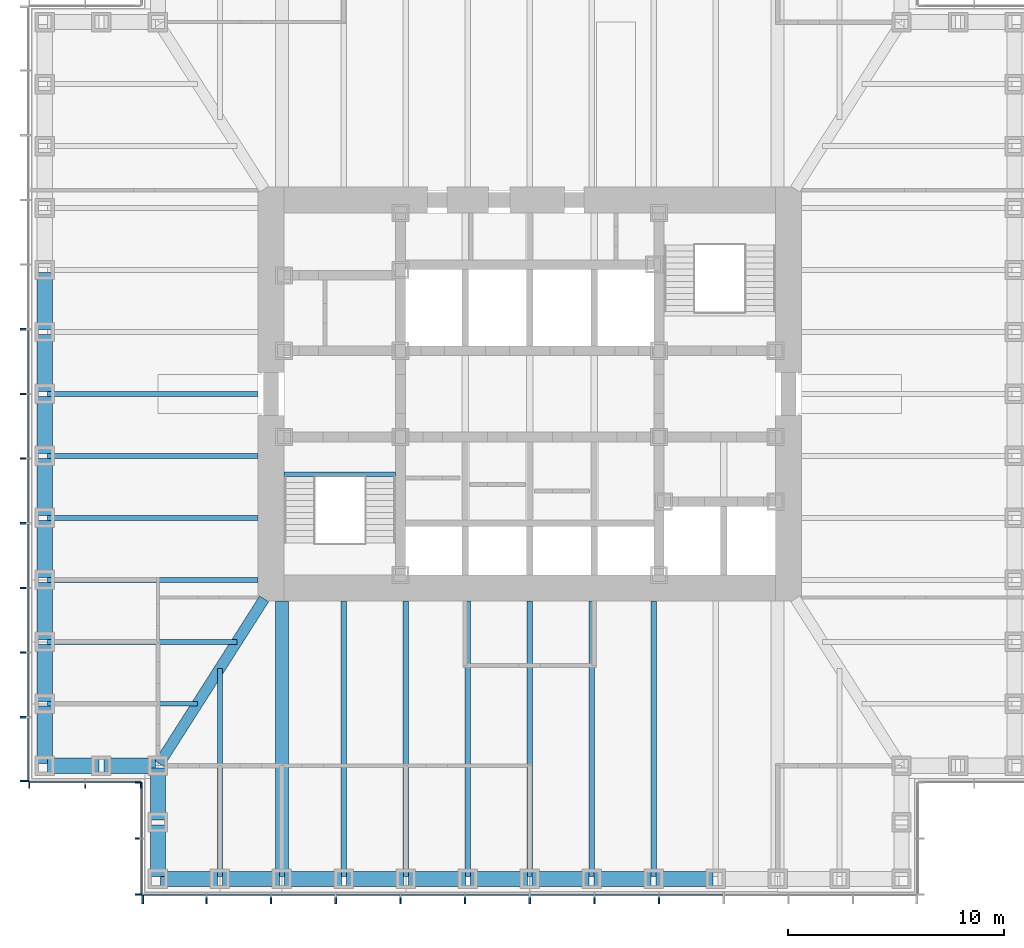
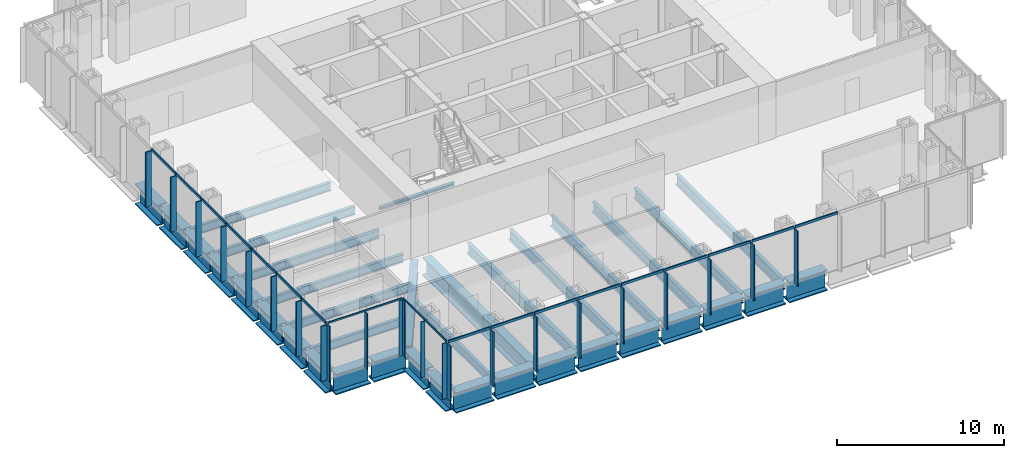
# One storey, part 2 of 16: 43 members, 37 beams, 4 elements without a shape of their own.
"""IFC4 building model written with IfcOpenShell, lengths in metres."""

from ifc_helpers import new_model, si_unit, direction, frame, origin, origin_2d, place, context, subcontext, project, spatial, rectangle, i_section, extrude, material, material_profile, profile_set, type_object, element, aggregate, save


model = new_model("IFC4")

# Units and contexts
model_context = context("Model", 3, precision=1e-05, world=origin(), true_north=direction((0.0, 1.0)))
body_context = subcontext(model_context, "Body", "Model", "MODEL_VIEW")
ifc_project = project(units=[si_unit("LENGTHUNIT", "METRE"), si_unit("AREAUNIT", "SQUARE_METRE"), si_unit("VOLUMEUNIT", "CUBIC_METRE"), si_unit("PLANEANGLEUNIT", "RADIAN"), si_unit("MASSUNIT", "GRAM", prefix="KILO")], contexts=[model_context])

# Site, building, storey
site_placement = place(None, origin())
site = spatial("IfcSite", under=ifc_project, at=site_placement, CompositionType="ELEMENT")
building_placement = place(site_placement, origin())
building = spatial("IfcBuilding", under=site, at=building_placement, Name="Daluyong Arena Tower", CompositionType="ELEMENT")
storey_placement = place(building_placement, frame((0.0, 0.0, 120.699951171875)))
storey = spatial("IfcBuildingStorey", under=building, at=storey_placement, Name="L26", CompositionType="ELEMENT", Elevation=120.699951171875)

# Curtain wall, members
ifc_material_1 = material(Name="Bronze anodised aluminium and glass", Category="aluminium")
curtain_wall_type_1 = type_object("IfcCurtainWallType", Name="Curtain wall CW2", PredefinedType="USERDEFINED", material=ifc_material_1)
curtain_wall_1_placement = place(storey_placement, origin())
curtain_wall_1 = element("IfcCurtainWall", 1, at=curtain_wall_1_placement, inside=storey, type_object=curtain_wall_type_1, Name="curtain wall L26 S", ObjectType="UNITISED CURTAIN WALL", PredefinedType="USERDEFINED")
ifc_material_2 = material(Name="Bronze anodised aluminium fin", Category="aluminium")
ifc_material_profile_1 = material_profile(ifc_material_2, rectangle(XDim=0.39990234375, YDim=0.080078125, at=origin_2d()))
ifc_profile_set_1 = profile_set([ifc_material_profile_1], Name="Bronze anodised aluminium fin")
member_type_1 = type_object("IfcMemberType", Name="CW2 bronze fin 400x80", PredefinedType="MULLION", material=ifc_profile_set_1)
member_1_placement = place(storey_placement, frame((38.0400390625, 56.550048828125, 0.0), z_axis=(0.0, 0.0, 1.0), x_axis=(0.0, 1.0, 0.0)))
member_1 = element("IfcMember", 2, at=member_1_placement, type_object=member_type_1, Name="curtain wall L26 S fin 1", PredefinedType="MULLION", context=body_context, shape_type="SweptSolid", body=[
    extrude(rectangle(XDim=0.39990234375, YDim=0.080078125, at=origin_2d()), origin(), (0.0, 0.0, 1.0), 4.02001953125),
])
member_2_placement = place(storey_placement, frame((41.0, 56.550048828125, 0.0), z_axis=(0.0, 0.0, 1.0), x_axis=(0.0, 1.0, 0.0)))
member_2 = element("IfcMember", 3, at=member_2_placement, type_object=member_type_1, Name="curtain wall L26 S fin 2", PredefinedType="MULLION", context=body_context, shape_type="SweptSolid", body=[
    extrude(rectangle(XDim=0.39990234375, YDim=0.080078125, at=origin_2d()), origin(), (0.0, 0.0, 1.0), 4.02001953125),
])
member_3_placement = place(storey_placement, frame((44.0, 56.550048828125, 0.0), z_axis=(0.0, 0.0, 1.0), x_axis=(0.0, 1.0, 0.0)))
member_3 = element("IfcMember", 4, at=member_3_placement, type_object=member_type_1, Name="curtain wall L26 S fin 3", PredefinedType="MULLION", context=body_context, shape_type="SweptSolid", body=[
    extrude(rectangle(XDim=0.39990234375, YDim=0.080078125, at=origin_2d()), origin(), (0.0, 0.0, 1.0), 4.02001953125),
])
member_4_placement = place(storey_placement, frame((47.0, 56.550048828125, 0.0), z_axis=(0.0, 0.0, 1.0), x_axis=(0.0, 1.0, 0.0)))
member_4 = element("IfcMember", 5, at=member_4_placement, type_object=member_type_1, Name="curtain wall L26 S fin 4", PredefinedType="MULLION", context=body_context, shape_type="SweptSolid", body=[
    extrude(rectangle(XDim=0.39990234375, YDim=0.080078125, at=origin_2d()), origin(), (0.0, 0.0, 1.0), 4.02001953125),
])
member_5_placement = place(storey_placement, frame((50.0, 56.550048828125, 0.0), z_axis=(0.0, 0.0, 1.0), x_axis=(0.0, 1.0, 0.0)))
member_5 = element("IfcMember", 6, at=member_5_placement, type_object=member_type_1, Name="curtain wall L26 S fin 5", PredefinedType="MULLION", context=body_context, shape_type="SweptSolid", body=[
    extrude(rectangle(XDim=0.39990234375, YDim=0.080078125, at=origin_2d()), origin(), (0.0, 0.0, 1.0), 4.02001953125),
])
member_6_placement = place(storey_placement, frame((53.0, 56.550048828125, 0.0), z_axis=(0.0, 0.0, 1.0), x_axis=(0.0, 1.0, 0.0)))
member_6 = element("IfcMember", 7, at=member_6_placement, type_object=member_type_1, Name="curtain wall L26 S fin 6", PredefinedType="MULLION", context=body_context, shape_type="SweptSolid", body=[
    extrude(rectangle(XDim=0.39990234375, YDim=0.080078125, at=origin_2d()), origin(), (0.0, 0.0, 1.0), 4.02001953125),
])
member_7_placement = place(storey_placement, frame((56.0, 56.550048828125, 0.0), z_axis=(0.0, 0.0, 1.0), x_axis=(0.0, 1.0, 0.0)))
member_7 = element("IfcMember", 8, at=member_7_placement, type_object=member_type_1, Name="curtain wall L26 S fin 7", PredefinedType="MULLION", context=body_context, shape_type="SweptSolid", body=[
    extrude(rectangle(XDim=0.39990234375, YDim=0.080078125, at=origin_2d()), origin(), (0.0, 0.0, 1.0), 4.02001953125),
])
member_8_placement = place(storey_placement, frame((59.0, 56.550048828125, 0.0), z_axis=(0.0, 0.0, 1.0), x_axis=(0.0, 1.0, 0.0)))
member_8 = element("IfcMember", 9, at=member_8_placement, type_object=member_type_1, Name="curtain wall L26 S fin 8", PredefinedType="MULLION", context=body_context, shape_type="SweptSolid", body=[
    extrude(rectangle(XDim=0.39990234375, YDim=0.080078125, at=origin_2d()), origin(), (0.0, 0.0, 1.0), 4.02001953125),
])
member_9_placement = place(storey_placement, frame((62.0, 56.550048828125, 0.0), z_axis=(0.0, 0.0, 1.0), x_axis=(0.0, 1.0, 0.0)))
member_9 = element("IfcMember", 10, at=member_9_placement, type_object=member_type_1, Name="curtain wall L26 S fin 9", PredefinedType="MULLION", context=body_context, shape_type="SweptSolid", body=[
    extrude(rectangle(XDim=0.39990234375, YDim=0.080078125, at=origin_2d()), origin(), (0.0, 0.0, 1.0), 4.02001953125),
])

curtain_wall_2_placement = place(storey_placement, origin())
curtain_wall_2 = element("IfcCurtainWall", 11, at=curtain_wall_2_placement, inside=storey, type_object=curtain_wall_type_1, Name="curtain wall L26 W", ObjectType="UNITISED CURTAIN WALL", PredefinedType="USERDEFINED")
member_10_placement = place(storey_placement, frame((32.550048828125, 83.0, 0.0), z_axis=(0.0, 0.0, 1.0), x_axis=(1.0, 0.0, 0.0)))
member_10 = element("IfcMember", 12, at=member_10_placement, type_object=member_type_1, Name="curtain wall L26 W fin 6", PredefinedType="MULLION", context=body_context, shape_type="SweptSolid", body=[
    extrude(rectangle(XDim=0.39990234375, YDim=0.080078125, at=origin_2d()), origin(), (0.0, 0.0, 1.0), 4.02001953125),
])
member_11_placement = place(storey_placement, frame((32.550048828125, 80.0, 0.0), z_axis=(0.0, 0.0, 1.0), x_axis=(1.0, 0.0, 0.0)))
member_11 = element("IfcMember", 13, at=member_11_placement, type_object=member_type_1, Name="curtain wall L26 W fin 7", PredefinedType="MULLION", context=body_context, shape_type="SweptSolid", body=[
    extrude(rectangle(XDim=0.39990234375, YDim=0.080078125, at=origin_2d()), origin(), (0.0, 0.0, 1.0), 4.02001953125),
])
member_12_placement = place(storey_placement, frame((32.550048828125, 77.0, 0.0), z_axis=(0.0, 0.0, 1.0), x_axis=(1.0, 0.0, 0.0)))
member_12 = element("IfcMember", 14, at=member_12_placement, type_object=member_type_1, Name="curtain wall L26 W fin 8", PredefinedType="MULLION", context=body_context, shape_type="SweptSolid", body=[
    extrude(rectangle(XDim=0.39990234375, YDim=0.080078125, at=origin_2d()), origin(), (0.0, 0.0, 1.0), 4.02001953125),
])
member_13_placement = place(storey_placement, frame((32.550048828125, 74.0, 0.0), z_axis=(0.0, 0.0, 1.0), x_axis=(1.0, 0.0, 0.0)))
member_13 = element("IfcMember", 15, at=member_13_placement, type_object=member_type_1, Name="curtain wall L26 W fin 9", PredefinedType="MULLION", context=body_context, shape_type="SweptSolid", body=[
    extrude(rectangle(XDim=0.39990234375, YDim=0.080078125, at=origin_2d()), origin(), (0.0, 0.0, 1.0), 4.02001953125),
])
member_14_placement = place(storey_placement, frame((32.550048828125, 71.0, 0.0), z_axis=(0.0, 0.0, 1.0), x_axis=(1.0, 0.0, 0.0)))
member_14 = element("IfcMember", 16, at=member_14_placement, type_object=member_type_1, Name="curtain wall L26 W fin 10", PredefinedType="MULLION", context=body_context, shape_type="SweptSolid", body=[
    extrude(rectangle(XDim=0.39990234375, YDim=0.080078125, at=origin_2d()), origin(), (0.0, 0.0, 1.0), 4.02001953125),
])
member_15_placement = place(storey_placement, frame((32.550048828125, 68.0, 0.0), z_axis=(0.0, 0.0, 1.0), x_axis=(1.0, 0.0, 0.0)))
member_15 = element("IfcMember", 17, at=member_15_placement, type_object=member_type_1, Name="curtain wall L26 W fin 11", PredefinedType="MULLION", context=body_context, shape_type="SweptSolid", body=[
    extrude(rectangle(XDim=0.39990234375, YDim=0.080078125, at=origin_2d()), origin(), (0.0, 0.0, 1.0), 4.02001953125),
])
member_16_placement = place(storey_placement, frame((32.550048828125, 65.0, 0.0), z_axis=(0.0, 0.0, 1.0), x_axis=(1.0, 0.0, 0.0)))
member_16 = element("IfcMember", 18, at=member_16_placement, type_object=member_type_1, Name="curtain wall L26 W fin 12", PredefinedType="MULLION", context=body_context, shape_type="SweptSolid", body=[
    extrude(rectangle(XDim=0.39990234375, YDim=0.080078125, at=origin_2d()), origin(), (0.0, 0.0, 1.0), 4.02001953125),
])
member_17_placement = place(storey_placement, frame((32.550048828125, 62.0400390625, 0.0), z_axis=(0.0, 0.0, 1.0), x_axis=(1.0, 0.0, 0.0)))
member_17 = element("IfcMember", 19, at=member_17_placement, type_object=member_type_1, Name="curtain wall L26 W fin 13", PredefinedType="MULLION", context=body_context, shape_type="SweptSolid", body=[
    extrude(rectangle(XDim=0.39990234375, YDim=0.080078125, at=origin_2d()), origin(), (0.0, 0.0, 1.0), 4.02001953125),
])

# Member
ifc_material_3 = material(Name="Bronze anodised aluminium", Category="aluminium")
ifc_material_profile_2 = material_profile(ifc_material_3, rectangle(XDim=0.080078125, YDim=0.179931640625, at=origin_2d()))
ifc_profile_set_2 = profile_set([ifc_material_profile_2], Name="Bronze anodised aluminium")
member_type_2 = type_object("IfcMemberType", Name="CW2 stack transom 180x80", PredefinedType="USERDEFINED", material=ifc_profile_set_2)
member_18_placement = place(storey_placement, frame((38.080078125, 56.75, 4.110107421875), z_axis=(1.0, 0.0, 0.0), x_axis=(0.0, 1.0, 0.0)))
member_18 = element("IfcMember", 20, at=member_18_placement, type_object=member_type_2, Name="curtain wall L26 S transom 1", ObjectType="TRANSOM", PredefinedType="USERDEFINED", context=body_context, shape_type="SweptSolid", body=[
    extrude(rectangle(XDim=0.080078125, YDim=0.179931640625, at=origin_2d()), origin(), (0.0, 0.0, 1.0), 2.8798828125),
])

member_19_placement = place(storey_placement, frame((41.0400390625, 56.75, 4.110107421875), z_axis=(1.0, 0.0, 0.0), x_axis=(0.0, 1.0, 0.0)))
member_19 = element("IfcMember", 21, at=member_19_placement, type_object=member_type_2, Name="curtain wall L26 S transom 2", ObjectType="TRANSOM", PredefinedType="USERDEFINED", context=body_context, shape_type="SweptSolid", body=[
    extrude(rectangle(XDim=0.080078125, YDim=0.179931640625, at=origin_2d()), origin(), (0.0, 0.0, 1.0), 2.919921875),
])

member_20_placement = place(storey_placement, frame((44.0400390625, 56.75, 4.110107421875), z_axis=(1.0, 0.0, 0.0), x_axis=(0.0, 1.0, 0.0)))
member_20 = element("IfcMember", 22, at=member_20_placement, type_object=member_type_2, Name="curtain wall L26 S transom 3", ObjectType="TRANSOM", PredefinedType="USERDEFINED", context=body_context, shape_type="SweptSolid", body=[
    extrude(rectangle(XDim=0.080078125, YDim=0.179931640625, at=origin_2d()), origin(), (0.0, 0.0, 1.0), 2.919921875),
])

member_21_placement = place(storey_placement, frame((47.0400390625, 56.75, 4.110107421875), z_axis=(1.0, 0.0, 0.0), x_axis=(0.0, 1.0, 0.0)))
member_21 = element("IfcMember", 23, at=member_21_placement, type_object=member_type_2, Name="curtain wall L26 S transom 4", ObjectType="TRANSOM", PredefinedType="USERDEFINED", context=body_context, shape_type="SweptSolid", body=[
    extrude(rectangle(XDim=0.080078125, YDim=0.179931640625, at=origin_2d()), origin(), (0.0, 0.0, 1.0), 2.919921875),
])

member_22_placement = place(storey_placement, frame((50.0400390625, 56.75, 4.110107421875), z_axis=(1.0, 0.0, 0.0), x_axis=(0.0, 1.0, 0.0)))
member_22 = element("IfcMember", 24, at=member_22_placement, type_object=member_type_2, Name="curtain wall L26 S transom 5", ObjectType="TRANSOM", PredefinedType="USERDEFINED", context=body_context, shape_type="SweptSolid", body=[
    extrude(rectangle(XDim=0.080078125, YDim=0.179931640625, at=origin_2d()), origin(), (0.0, 0.0, 1.0), 2.919921875),
])

member_23_placement = place(storey_placement, frame((53.0400390625, 56.75, 4.110107421875), z_axis=(1.0, 0.0, 0.0), x_axis=(0.0, 1.0, 0.0)))
member_23 = element("IfcMember", 25, at=member_23_placement, type_object=member_type_2, Name="curtain wall L26 S transom 6", ObjectType="TRANSOM", PredefinedType="USERDEFINED", context=body_context, shape_type="SweptSolid", body=[
    extrude(rectangle(XDim=0.080078125, YDim=0.179931640625, at=origin_2d()), origin(), (0.0, 0.0, 1.0), 2.919921875),
])

member_24_placement = place(storey_placement, frame((56.0400390625, 56.75, 4.110107421875), z_axis=(1.0, 0.0, 0.0), x_axis=(0.0, 1.0, 0.0)))
member_24 = element("IfcMember", 26, at=member_24_placement, type_object=member_type_2, Name="curtain wall L26 S transom 7", ObjectType="TRANSOM", PredefinedType="USERDEFINED", context=body_context, shape_type="SweptSolid", body=[
    extrude(rectangle(XDim=0.080078125, YDim=0.179931640625, at=origin_2d()), origin(), (0.0, 0.0, 1.0), 2.919921875),
])

member_25_placement = place(storey_placement, frame((59.0400390625, 56.75, 4.110107421875), z_axis=(1.0, 0.0, 0.0), x_axis=(0.0, 1.0, 0.0)))
member_25 = element("IfcMember", 27, at=member_25_placement, type_object=member_type_2, Name="curtain wall L26 S transom 8", ObjectType="TRANSOM", PredefinedType="USERDEFINED", context=body_context, shape_type="SweptSolid", body=[
    extrude(rectangle(XDim=0.080078125, YDim=0.179931640625, at=origin_2d()), origin(), (0.0, 0.0, 1.0), 2.919921875),
])

member_26_placement = place(storey_placement, frame((62.0400390625, 56.75, 4.110107421875), z_axis=(1.0, 0.0, 0.0), x_axis=(0.0, 1.0, 0.0)))
member_26 = element("IfcMember", 28, at=member_26_placement, type_object=member_type_2, Name="curtain wall L26 S transom 9", ObjectType="TRANSOM", PredefinedType="USERDEFINED", context=body_context, shape_type="SweptSolid", body=[
    extrude(rectangle(XDim=0.080078125, YDim=0.179931640625, at=origin_2d()), origin(), (0.0, 0.0, 1.0), 2.919921875),
])

aggregate(curtain_wall_1, [member_1, member_2, member_3, member_4, member_5, member_6, member_7, member_8, member_9, member_18, member_19, member_20, member_21, member_22, member_23, member_24, member_25, member_26])

member_27_placement = place(storey_placement, frame((32.75, 82.9599609375, 4.110107421875), z_axis=(0.0, -1.0, 0.0), x_axis=(1.0, 0.0, 0.0)))
member_27 = element("IfcMember", 29, at=member_27_placement, type_object=member_type_2, Name="curtain wall L26 W transom 6", ObjectType="TRANSOM", PredefinedType="USERDEFINED", context=body_context, shape_type="SweptSolid", body=[
    extrude(rectangle(XDim=0.080078125, YDim=0.179931640625, at=origin_2d()), origin(), (0.0, 0.0, 1.0), 2.919921875),
])

member_28_placement = place(storey_placement, frame((32.75, 79.9599609375, 4.110107421875), z_axis=(0.0, -1.0, 0.0), x_axis=(1.0, 0.0, 0.0)))
member_28 = element("IfcMember", 30, at=member_28_placement, type_object=member_type_2, Name="curtain wall L26 W transom 7", ObjectType="TRANSOM", PredefinedType="USERDEFINED", context=body_context, shape_type="SweptSolid", body=[
    extrude(rectangle(XDim=0.080078125, YDim=0.179931640625, at=origin_2d()), origin(), (0.0, 0.0, 1.0), 2.919921875),
])

member_29_placement = place(storey_placement, frame((32.75, 76.9599609375, 4.110107421875), z_axis=(0.0, -1.0, 0.0), x_axis=(1.0, 0.0, 0.0)))
member_29 = element("IfcMember", 31, at=member_29_placement, type_object=member_type_2, Name="curtain wall L26 W transom 8", ObjectType="TRANSOM", PredefinedType="USERDEFINED", context=body_context, shape_type="SweptSolid", body=[
    extrude(rectangle(XDim=0.080078125, YDim=0.179931640625, at=origin_2d()), origin(), (0.0, 0.0, 1.0), 2.919921875),
])

member_30_placement = place(storey_placement, frame((32.75, 73.9599609375, 4.110107421875), z_axis=(0.0, -1.0, 0.0), x_axis=(1.0, 0.0, 0.0)))
member_30 = element("IfcMember", 32, at=member_30_placement, type_object=member_type_2, Name="curtain wall L26 W transom 9", ObjectType="TRANSOM", PredefinedType="USERDEFINED", context=body_context, shape_type="SweptSolid", body=[
    extrude(rectangle(XDim=0.080078125, YDim=0.179931640625, at=origin_2d()), origin(), (0.0, 0.0, 1.0), 2.919921875),
])

member_31_placement = place(storey_placement, frame((32.75, 70.9599609375, 4.110107421875), z_axis=(0.0, -1.0, 0.0), x_axis=(1.0, 0.0, 0.0)))
member_31 = element("IfcMember", 33, at=member_31_placement, type_object=member_type_2, Name="curtain wall L26 W transom 10", ObjectType="TRANSOM", PredefinedType="USERDEFINED", context=body_context, shape_type="SweptSolid", body=[
    extrude(rectangle(XDim=0.080078125, YDim=0.179931640625, at=origin_2d()), origin(), (0.0, 0.0, 1.0), 2.919921875),
])

member_32_placement = place(storey_placement, frame((32.75, 67.9599609375, 4.110107421875), z_axis=(0.0, -1.0, 0.0), x_axis=(1.0, 0.0, 0.0)))
member_32 = element("IfcMember", 34, at=member_32_placement, type_object=member_type_2, Name="curtain wall L26 W transom 11", ObjectType="TRANSOM", PredefinedType="USERDEFINED", context=body_context, shape_type="SweptSolid", body=[
    extrude(rectangle(XDim=0.080078125, YDim=0.179931640625, at=origin_2d()), origin(), (0.0, 0.0, 1.0), 2.919921875),
])

member_33_placement = place(storey_placement, frame((32.75, 64.9599609375, 4.110107421875), z_axis=(0.0, -1.0, 0.0), x_axis=(1.0, 0.0, 0.0)))
member_33 = element("IfcMember", 35, at=member_33_placement, type_object=member_type_2, Name="curtain wall L26 W transom 12", ObjectType="TRANSOM", PredefinedType="USERDEFINED", context=body_context, shape_type="SweptSolid", body=[
    extrude(rectangle(XDim=0.080078125, YDim=0.179931640625, at=origin_2d()), origin(), (0.0, 0.0, 1.0), 2.8798828125),
])

aggregate(curtain_wall_2, [member_10, member_11, member_12, member_13, member_14, member_15, member_16, member_17, member_27, member_28, member_29, member_30, member_31, member_32, member_33])

# Curtain wall, members
ifc_material_4 = material(Name="Bronze anodised aluminium and glass", Category="aluminium")
curtain_wall_type_2 = type_object("IfcCurtainWallType", Name="Curtain wall CW7", PredefinedType="USERDEFINED", material=ifc_material_4)
curtain_wall_3_placement = place(storey_placement, origin())
curtain_wall_3 = element("IfcCurtainWall", 36, at=curtain_wall_3_placement, inside=storey, type_object=curtain_wall_type_2, Name="curtain wall L26 SW-S", ObjectType="UNITISED CURTAIN WALL", PredefinedType="USERDEFINED")
ifc_material_5 = material(Name="Bronze anodised aluminium fin", Category="aluminium")
ifc_material_profile_3 = material_profile(ifc_material_5, rectangle(XDim=0.300048828125, YDim=0.06005859375, at=origin_2d()))
ifc_profile_set_3 = profile_set([ifc_material_profile_3], Name="Bronze anodised aluminium fin")
member_type_3 = type_object("IfcMemberType", Name="CW7 bronze fin 300x60", PredefinedType="MULLION", material=ifc_profile_set_3)
member_34_placement = place(storey_placement, frame((32.780029296875, 61.85009765625, 0.0), z_axis=(0.0, 0.0, 1.0), x_axis=(0.0, 1.0, 0.0)))
member_34 = element("IfcMember", 37, at=member_34_placement, type_object=member_type_3, Name="curtain wall L26 SW-S fin 1", PredefinedType="MULLION", context=body_context, shape_type="SweptSolid", body=[
    extrude(rectangle(XDim=0.300048828125, YDim=0.06005859375, at=origin_2d()), origin(), (0.0, 0.0, 1.0), 4.080078125),
])
member_35_placement = place(storey_placement, frame((35.375, 61.85009765625, 0.0), z_axis=(0.0, 0.0, 1.0), x_axis=(0.0, 1.0, 0.0)))
member_35 = element("IfcMember", 38, at=member_35_placement, type_object=member_type_3, Name="curtain wall L26 SW-S fin 2", PredefinedType="MULLION", context=body_context, shape_type="SweptSolid", body=[
    extrude(rectangle(XDim=0.300048828125, YDim=0.06005859375, at=origin_2d()), origin(), (0.0, 0.0, 1.0), 4.080078125),
])
member_36_placement = place(storey_placement, frame((37.969970703125, 61.85009765625, 0.0), z_axis=(0.0, 0.0, 1.0), x_axis=(0.0, 1.0, 0.0)))
member_36 = element("IfcMember", 39, at=member_36_placement, type_object=member_type_3, Name="curtain wall L26 SW-S fin 3", PredefinedType="MULLION", context=body_context, shape_type="SweptSolid", body=[
    extrude(rectangle(XDim=0.300048828125, YDim=0.06005859375, at=origin_2d()), origin(), (0.0, 0.0, 1.0), 4.080078125),
])

curtain_wall_4_placement = place(storey_placement, origin())
curtain_wall_4 = element("IfcCurtainWall", 40, at=curtain_wall_4_placement, inside=storey, type_object=curtain_wall_type_2, Name="curtain wall L26 SW-W", ObjectType="UNITISED CURTAIN WALL", PredefinedType="USERDEFINED")
member_37_placement = place(storey_placement, frame((37.85009765625, 61.969970703125, 0.0), z_axis=(0.0, 0.0, 1.0), x_axis=(1.0, 0.0, 0.0)))
member_37 = element("IfcMember", 41, at=member_37_placement, type_object=member_type_3, Name="curtain wall L26 SW-W fin 1", PredefinedType="MULLION", context=body_context, shape_type="SweptSolid", body=[
    extrude(rectangle(XDim=0.300048828125, YDim=0.06005859375, at=origin_2d()), origin(), (0.0, 0.0, 1.0), 4.080078125),
])
member_38_placement = place(storey_placement, frame((37.85009765625, 59.375, 0.0), z_axis=(0.0, 0.0, 1.0), x_axis=(1.0, 0.0, 0.0)))
member_38 = element("IfcMember", 42, at=member_38_placement, type_object=member_type_3, Name="curtain wall L26 SW-W fin 2", PredefinedType="MULLION", context=body_context, shape_type="SweptSolid", body=[
    extrude(rectangle(XDim=0.300048828125, YDim=0.06005859375, at=origin_2d()), origin(), (0.0, 0.0, 1.0), 4.080078125),
])
member_39_placement = place(storey_placement, frame((37.85009765625, 56.780029296875, 0.0), z_axis=(0.0, 0.0, 1.0), x_axis=(1.0, 0.0, 0.0)))
member_39 = element("IfcMember", 43, at=member_39_placement, type_object=member_type_3, Name="curtain wall L26 SW-W fin 3", PredefinedType="MULLION", context=body_context, shape_type="SweptSolid", body=[
    extrude(rectangle(XDim=0.300048828125, YDim=0.06005859375, at=origin_2d()), origin(), (0.0, 0.0, 1.0), 4.080078125),
])

# Member
ifc_material_6 = material(Name="Bronze anodised aluminium", Category="aluminium")
ifc_material_profile_4 = material_profile(ifc_material_6, rectangle(XDim=0.06005859375, YDim=0.1201171875, at=origin_2d()))
ifc_profile_set_4 = profile_set([ifc_material_profile_4], Name="Bronze anodised aluminium")
member_type_4 = type_object("IfcMemberType", Name="CW7 stack transom 120x60", PredefinedType="USERDEFINED", material=ifc_profile_set_4)
member_40_placement = place(storey_placement, frame((32.81005859375, 62.0, 4.14013671875), z_axis=(1.0, 0.0, 0.0), x_axis=(0.0, 1.0, 0.0)))
member_40 = element("IfcMember", 44, at=member_40_placement, type_object=member_type_4, Name="curtain wall L26 SW-S transom 1", ObjectType="TRANSOM", PredefinedType="USERDEFINED", context=body_context, shape_type="SweptSolid", body=[
    extrude(rectangle(XDim=0.06005859375, YDim=0.1201171875, at=origin_2d()), origin(), (0.0, 0.0, 1.0), 2.534912109375),
])

member_41_placement = place(storey_placement, frame((35.405029296875, 62.0, 4.14013671875), z_axis=(1.0, 0.0, 0.0), x_axis=(0.0, 1.0, 0.0)))
member_41 = element("IfcMember", 45, at=member_41_placement, type_object=member_type_4, Name="curtain wall L26 SW-S transom 2", ObjectType="TRANSOM", PredefinedType="USERDEFINED", context=body_context, shape_type="SweptSolid", body=[
    extrude(rectangle(XDim=0.06005859375, YDim=0.1201171875, at=origin_2d()), origin(), (0.0, 0.0, 1.0), 2.534912109375),
])

aggregate(curtain_wall_3, [member_34, member_35, member_36, member_40, member_41])

member_42_placement = place(storey_placement, frame((38.0, 61.93994140625, 4.14013671875), z_axis=(0.0, -1.0, 0.0), x_axis=(1.0, 0.0, 0.0)))
member_42 = element("IfcMember", 46, at=member_42_placement, type_object=member_type_4, Name="curtain wall L26 SW-W transom 1", ObjectType="TRANSOM", PredefinedType="USERDEFINED", context=body_context, shape_type="SweptSolid", body=[
    extrude(rectangle(XDim=0.06005859375, YDim=0.1201171875, at=origin_2d()), origin(), (0.0, 0.0, 1.0), 2.534912109375),
])

member_43_placement = place(storey_placement, frame((38.0, 59.344970703125, 4.14013671875), z_axis=(0.0, -1.0, 0.0), x_axis=(1.0, 0.0, 0.0)))
member_43 = element("IfcMember", 47, at=member_43_placement, type_object=member_type_4, Name="curtain wall L26 SW-W transom 2", ObjectType="TRANSOM", PredefinedType="USERDEFINED", context=body_context, shape_type="SweptSolid", body=[
    extrude(rectangle(XDim=0.06005859375, YDim=0.1201171875, at=origin_2d()), origin(), (0.0, 0.0, 1.0), 2.534912109375),
])

aggregate(curtain_wall_4, [member_37, member_38, member_39, member_42, member_43])

# Beams
ifc_material_7 = material(Name="Steel ASTM A572 Grade 50", Category="steel")
ifc_material_profile_5 = material_profile(ifc_material_7, i_section(OverallWidth=0.5, OverallDepth=1.0, WebThickness=0.03, FlangeThickness=0.06, at=origin_2d()))
ifc_profile_set_5 = profile_set([ifc_material_profile_5], Name="Steel ASTM A572 Grade 50")
beam_type_1 = type_object("IfcBeamType", Name="Corner girder TB1000X500", PredefinedType="BEAM", material=ifc_profile_set_5)
beam_1_placement = place(storey_placement, frame((38.811767578125, 62.846923828125, -0.659912109375), z_axis=(0.536872006459, 0.843663705916, 0.0), x_axis=(-0.843663705916, 0.536872006459, 0.0)))
element("IfcBeam", 48, at=beam_1_placement, inside=storey, type_object=beam_type_1, Name="corner girder DG2", PredefinedType="BEAM", context=body_context, shape_type="SweptSolid", body=[
    extrude(i_section(OverallWidth=0.5, OverallDepth=1.0, WebThickness=0.03, FlangeThickness=0.06, at=origin_2d()), origin(), (0.0, 0.0, 1.0), 9.06396484375),
])
ifc_material_8 = material(Name="Steel ASTM A572 Grade 50", Category="steel")
ifc_material_profile_6 = material_profile(ifc_material_8, i_section(OverallWidth=0.60009765625, OverallDepth=1.300048828125, WebThickness=0.035, FlangeThickness=0.07, at=origin_2d()))
ifc_profile_set_6 = profile_set([ifc_material_profile_6], Name="Steel ASTM A572 Grade 50")
beam_type_2 = type_object("IfcBeamType", Name="Floor beam TB1300X600", PredefinedType="BEAM", material=ifc_profile_set_6)
beam_2_placement = place(storey_placement, frame((44.5, 57.614990234375, -0.81005859375), z_axis=(0.0, 1.0, 0.0), x_axis=(-1.0, 0.0, 0.0)))
element("IfcBeam", 49, at=beam_2_placement, inside=storey, type_object=beam_type_2, Name="floor beam FB7", PredefinedType="BEAM", context=body_context, shape_type="SweptSolid", body=[
    extrude(i_section(OverallWidth=0.60009765625, OverallDepth=1.300048828125, WebThickness=0.035, FlangeThickness=0.07, at=origin_2d()), origin(), (0.0, 0.0, 1.0), 12.784912109375),
])
ifc_material_9 = material(Name="Steel ASTM A992 Grade 50", Category="steel")
ifc_material_profile_7 = material_profile(ifc_material_9, i_section(OverallWidth=0.22900390625, OverallDepth=0.612060546875, WebThickness=0.011962890625, FlangeThickness=0.01953125, at=origin_2d()))
ifc_profile_set_7 = profile_set([ifc_material_profile_7], Name="Steel ASTM A992 Grade 50")
beam_type_3 = type_object("IfcBeamType", Name="Floor beam W24X84", PredefinedType="BEAM", material=ifc_profile_set_7)
beam_3_placement = place(storey_placement, frame((41.625, 57.614990234375, -0.466064453125), z_axis=(0.0, 1.0, 0.0), x_axis=(-1.0, 0.0, 0.0)))
element("IfcBeam", 50, at=beam_3_placement, inside=storey, type_object=beam_type_3, Name="floor beam FB3", PredefinedType="BEAM", context=body_context, shape_type="SweptSolid", body=[
    extrude(i_section(OverallWidth=0.22900390625, OverallDepth=0.612060546875, WebThickness=0.011962890625, FlangeThickness=0.01953125, at=origin_2d()), origin(), (0.0, 0.0, 1.0), 9.65283203125),
])
for number, where, z_axis, x_axis, name in (
    (51, (33.614990234375, 80.0, -0.466064453125), (1.0, 0.0, 0.0), (0.0, 1.0, 0.0), "floor beam FB3"),
    (52, (33.614990234375, 77.125, -0.466064453125), (1.0, 0.0, 0.0), (0.0, 1.0, 0.0), "floor beam FB3"),
    (53, (33.614990234375, 74.25, -0.466064453125), (1.0, 0.0, 0.0), (0.0, 1.0, 0.0), "floor beam FB3"),
    (54, (33.614990234375, 71.375, -0.466064453125), (1.0, 0.0, 0.0), (0.0, 1.0, 0.0), "floor beam FB3"),
):
    element("IfcBeam", number, at=place(storey_placement, frame(where, z_axis=z_axis, x_axis=x_axis)), inside=storey, type_object=beam_type_3, Name=name, PredefinedType="BEAM", context=body_context, shape_type="SweptSolid", body=[
        extrude(i_section(OverallWidth=0.22900390625, OverallDepth=0.612060546875, WebThickness=0.011962890625, FlangeThickness=0.01953125, at=origin_2d()), origin(), (0.0, 0.0, 1.0), 9.784912109375),
    ])
beam_4_placement = place(storey_placement, frame((33.614990234375, 68.5, -0.466064453125), z_axis=(1.0, 0.0, 0.0), x_axis=(0.0, 1.0, 0.0)))
element("IfcBeam", 55, at=beam_4_placement, inside=storey, type_object=beam_type_3, Name="floor beam FB3", PredefinedType="BEAM", context=body_context, shape_type="SweptSolid", body=[
    extrude(i_section(OverallWidth=0.22900390625, OverallDepth=0.612060546875, WebThickness=0.011962890625, FlangeThickness=0.01953125, at=origin_2d()), origin(), (0.0, 0.0, 1.0), 8.794189453125),
])
beam_5_placement = place(storey_placement, frame((33.614990234375, 65.625, -0.466064453125), z_axis=(1.0, 0.0, 0.0), x_axis=(0.0, 1.0, 0.0)))
element("IfcBeam", 56, at=beam_5_placement, inside=storey, type_object=beam_type_3, Name="floor beam FB3", PredefinedType="BEAM", context=body_context, shape_type="SweptSolid", body=[
    extrude(i_section(OverallWidth=0.22900390625, OverallDepth=0.612060546875, WebThickness=0.011962890625, FlangeThickness=0.01953125, at=origin_2d()), origin(), (0.0, 0.0, 1.0), 6.964599609375),
])
ifc_material_10 = material(Name="Steel ASTM A992 Grade 50", Category="steel")
ifc_material_profile_8 = material_profile(ifc_material_10, i_section(OverallWidth=0.2666015625, OverallDepth=0.761962890625, WebThickness=0.014404296875, FlangeThickness=0.021484375, at=origin_2d()))
ifc_profile_set_8 = profile_set([ifc_material_profile_8], Name="Steel ASTM A992 Grade 50")
beam_type_4 = type_object("IfcBeamType", Name="Floor beam W30X116", PredefinedType="BEAM", material=ifc_profile_set_8)
for number, where, z_axis, x_axis, name in (
    (57, (47.375, 57.614990234375, -0.541015625), (0.0, 1.0, 0.0), (-1.0, 0.0, 0.0), "floor beam FB4"),
    (58, (50.25, 57.614990234375, -0.541015625), (0.0, 1.0, 0.0), (-1.0, 0.0, 0.0), "floor beam FB4"),
    (59, (53.125, 57.614990234375, -0.541015625), (0.0, 1.0, 0.0), (-1.0, 0.0, 0.0), "floor beam FB4"),
    (60, (56.0, 57.614990234375, -0.541015625), (0.0, 1.0, 0.0), (-1.0, 0.0, 0.0), "floor beam FB4"),
    (61, (58.875, 57.614990234375, -0.541015625), (0.0, 1.0, 0.0), (-1.0, 0.0, 0.0), "floor beam FB4"),
    (62, (61.75, 57.614990234375, -0.541015625), (0.0, 1.0, 0.0), (-1.0, 0.0, 0.0), "floor beam FB4"),
):
    element("IfcBeam", number, at=place(storey_placement, frame(where, z_axis=z_axis, x_axis=x_axis)), inside=storey, type_object=beam_type_4, Name=name, PredefinedType="BEAM", context=body_context, shape_type="SweptSolid", body=[
        extrude(i_section(OverallWidth=0.2666015625, OverallDepth=0.761962890625, WebThickness=0.014404296875, FlangeThickness=0.021484375, at=origin_2d()), origin(), (0.0, 0.0, 1.0), 12.784912109375),
    ])
ifc_material_11 = material(Name="Steel ASTM A572 Grade 50", Category="steel")
ifc_material_profile_9 = material_profile(ifc_material_11, i_section(OverallWidth=0.699951171875, OverallDepth=1.5, WebThickness=0.04, FlangeThickness=0.08, at=origin_2d()))
ifc_profile_set_9 = profile_set([ifc_material_profile_9], Name="Steel ASTM A572 Grade 50")
beam_type_5 = type_object("IfcBeamType", Name="Spandrel Z2 PG1500X700", PredefinedType="SPANDREL", material=ifc_profile_set_9)
for number, where, z_axis, x_axis, name in (
    (63, (38.864990234375, 57.5, -0.909912109375), (1.0, 0.0, 0.0), (0.0, 1.0, 0.0), "spandrel z2 SB6"),
    (64, (41.739990234375, 57.5, -0.909912109375), (1.0, 0.0, 0.0), (0.0, 1.0, 0.0), "spandrel z2 SB6"),
    (65, (44.614990234375, 57.5, -0.909912109375), (1.0, 0.0, 0.0), (0.0, 1.0, 0.0), "spandrel z2 SB6"),
    (66, (47.489990234375, 57.5, -0.909912109375), (1.0, 0.0, 0.0), (0.0, 1.0, 0.0), "spandrel z2 SB6"),
    (67, (50.364990234375, 57.5, -0.909912109375), (1.0, 0.0, 0.0), (0.0, 1.0, 0.0), "spandrel z2 SB6"),
    (68, (53.239990234375, 57.5, -0.909912109375), (1.0, 0.0, 0.0), (0.0, 1.0, 0.0), "spandrel z2 SB6"),
    (69, (56.114990234375, 57.5, -0.909912109375), (1.0, 0.0, 0.0), (0.0, 1.0, 0.0), "spandrel z2 SB6"),
    (70, (58.989990234375, 57.5, -0.909912109375), (1.0, 0.0, 0.0), (0.0, 1.0, 0.0), "spandrel z2 SB6"),
    (71, (61.864990234375, 57.5, -0.909912109375), (1.0, 0.0, 0.0), (0.0, 1.0, 0.0), "spandrel z2 SB6"),
    (72, (33.5, 85.635009765625, -0.909912109375), (0.0, -1.0, 0.0), (1.0, 0.0, 0.0), "spandrel z2 SB6"),
    (73, (33.5, 82.760009765625, -0.909912109375), (0.0, -1.0, 0.0), (1.0, 0.0, 0.0), "spandrel z2 SB6"),
    (74, (33.5, 79.885009765625, -0.909912109375), (0.0, -1.0, 0.0), (1.0, 0.0, 0.0), "spandrel z2 SB6"),
    (75, (33.5, 77.010009765625, -0.909912109375), (0.0, -1.0, 0.0), (1.0, 0.0, 0.0), "spandrel z2 SB6"),
    (76, (33.5, 74.135009765625, -0.909912109375), (0.0, -1.0, 0.0), (1.0, 0.0, 0.0), "spandrel z2 SB6"),
    (77, (33.5, 71.260009765625, -0.909912109375), (0.0, -1.0, 0.0), (1.0, 0.0, 0.0), "spandrel z2 SB6"),
    (78, (33.5, 68.385009765625, -0.909912109375), (0.0, -1.0, 0.0), (1.0, 0.0, 0.0), "spandrel z2 SB6"),
    (79, (33.5, 65.510009765625, -0.909912109375), (0.0, -1.0, 0.0), (1.0, 0.0, 0.0), "spandrel z2 SB6"),
):
    element("IfcBeam", number, at=place(storey_placement, frame(where, z_axis=z_axis, x_axis=x_axis)), inside=storey, type_object=beam_type_5, Name=name, PredefinedType="SPANDREL", context=body_context, shape_type="SweptSolid", body=[
        extrude(i_section(OverallWidth=0.699951171875, OverallDepth=1.5, WebThickness=0.04, FlangeThickness=0.08, at=origin_2d()), origin(), (0.0, 0.0, 1.0), 2.64501953125),
    ])
for number, where, z_axis, x_axis, name in (
    (80, (33.614990234375, 62.75, -0.909912109375), (1.0, 0.0, 0.0), (0.0, 1.0, 0.0), "spandrel z2 SB6"),
    (81, (36.239990234375, 62.75, -0.909912109375), (1.0, 0.0, 0.0), (0.0, 1.0, 0.0), "spandrel z2 SB6"),
    (82, (38.75, 62.635009765625, -0.909912109375), (0.0, -1.0, 0.0), (1.0, 0.0, 0.0), "spandrel z2 SB6"),
    (83, (38.75, 60.010009765625, -0.909912109375), (0.0, -1.0, 0.0), (1.0, 0.0, 0.0), "spandrel z2 SB6"),
):
    element("IfcBeam", number, at=place(storey_placement, frame(where, z_axis=z_axis, x_axis=x_axis)), inside=storey, type_object=beam_type_5, Name=name, PredefinedType="SPANDREL", context=body_context, shape_type="SweptSolid", body=[
        extrude(i_section(OverallWidth=0.699951171875, OverallDepth=1.5, WebThickness=0.04, FlangeThickness=0.08, at=origin_2d()), origin(), (0.0, 0.0, 1.0), 2.39501953125),
    ])
ifc_material_12 = material(Name="Steel ASTM A992 Grade 50", Category="steel")
ifc_material_profile_10 = material_profile(ifc_material_12, i_section(OverallWidth=0.203125, OverallDepth=0.203125, WebThickness=0.00732421875, FlangeThickness=0.010986328125, at=origin_2d()))
ifc_profile_set_10 = profile_set([ifc_material_profile_10], Name="Steel ASTM A992 Grade 50")
beam_type_6 = type_object("IfcBeamType", Name="Stair landing beam W8X31", PredefinedType="BEAM", material=ifc_profile_set_10)
beam_6_placement = place(storey_placement, frame((44.60009765625, 76.276611328125, -0.261474609375), z_axis=(1.0, 0.0, 0.0), x_axis=(0.0, 1.0, 0.0)))
element("IfcBeam", 84, at=beam_6_placement, inside=storey, type_object=beam_type_6, Name="exit stair A landing beam", PredefinedType="BEAM", context=body_context, shape_type="SweptSolid", body=[
    extrude(i_section(OverallWidth=0.203125, OverallDepth=0.203125, WebThickness=0.00732421875, FlangeThickness=0.010986328125, at=origin_2d()), origin(), (0.0, 0.0, 1.0), 5.1748046875),
])

save(model, "model.ifc")
